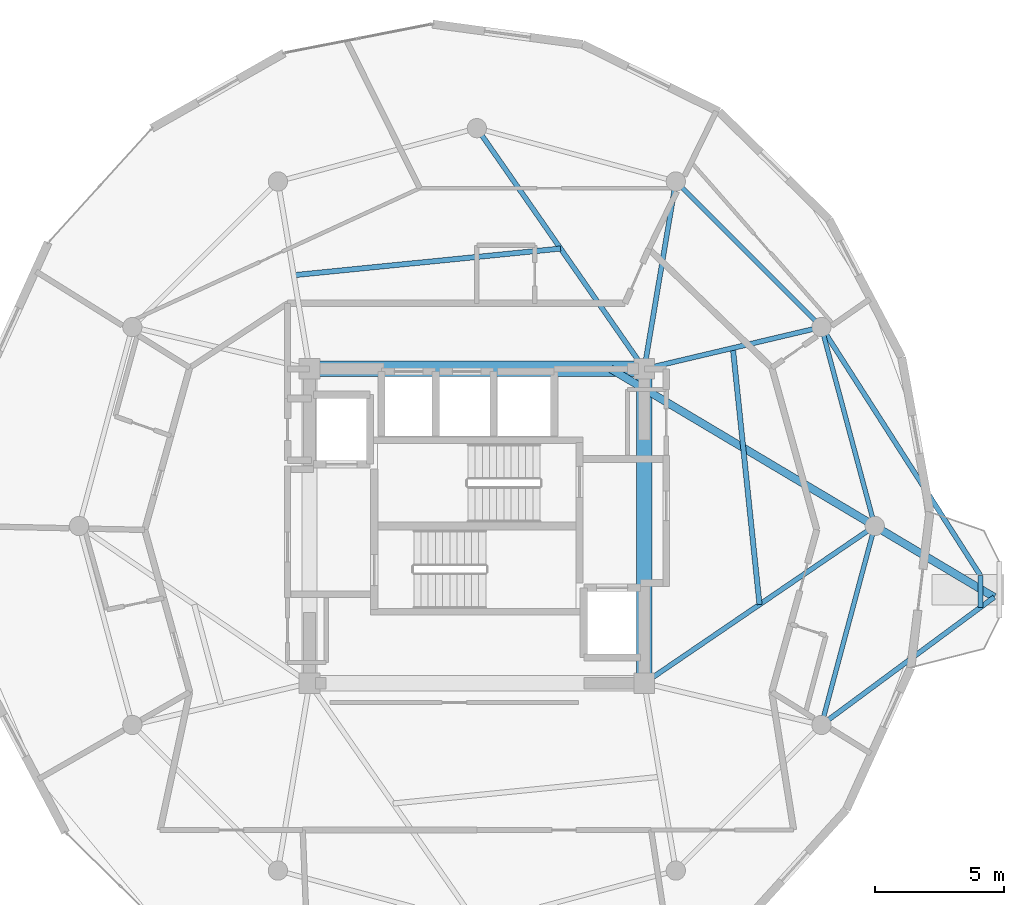
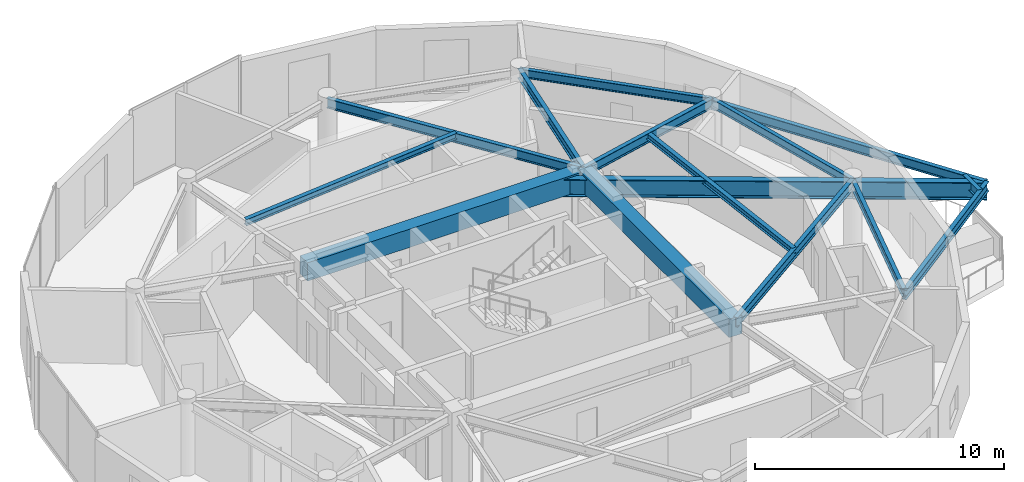
# One storey, part 10 of 18: 16 beams.
"""IFC4 building model written with IfcOpenShell, lengths in metres."""

from ifc_helpers import new_model, si_unit, direction, frame, origin, origin_2d, place, context, subcontext, project, spatial, rectangle, i_section, extrude, material, material_profile, profile_set, type_object, element, save


model = new_model("IFC4")

# Units and contexts
model_context = context("Model", 3, precision=1e-05, world=origin(), true_north=direction((0.0, 1.0)))
body_context = subcontext(model_context, "Body", "Model", "MODEL_VIEW")
ifc_project = project(units=[si_unit("LENGTHUNIT", "METRE"), si_unit("AREAUNIT", "SQUARE_METRE"), si_unit("VOLUMEUNIT", "CUBIC_METRE"), si_unit("PLANEANGLEUNIT", "RADIAN"), si_unit("MASSUNIT", "GRAM", prefix="KILO")], contexts=[model_context])

# Site, building, storey
site_placement = place(None, origin())
site = spatial("IfcSite", under=ifc_project, at=site_placement, CompositionType="ELEMENT")
building_placement = place(site_placement, origin())
building = spatial("IfcBuilding", under=site, at=building_placement, Name="Solvirekh Grand Hotel", CompositionType="ELEMENT")
storey_placement = place(building_placement, frame((0.0, 0.0, 274.39990234375)))
storey = spatial("IfcBuildingStorey", under=building, at=storey_placement, Name="L71", CompositionType="ELEMENT", Elevation=274.39990234375)

# Beams
ifc_material_1 = material(Name="Concrete C50/60", Category="concrete")
ifc_material_profile_1 = material_profile(ifc_material_1, rectangle(XDim=0.60009765625, YDim=0.89990234375, at=origin_2d()), Name="RC BEAM 600X900")
ifc_profile_set_1 = profile_set([ifc_material_profile_1], Name="Concrete C50/60")
beam_type_1 = type_object("IfcBeamType", Name="Beam_Core_RC900", PredefinedType="BEAM", material=ifc_profile_set_1)
beam_1_placement = place(storey_placement, frame((6.5, -6.10009765625, 3.1201171875), z_axis=(0.0, 1.0, 0.0), x_axis=(-1.0, 0.0, 0.0)))
element("IfcBeam", 1, at=beam_1_placement, inside=storey, type_object=beam_type_1, Name="L71 core coupling ring beam 2", PredefinedType="BEAM", context=body_context, shape_type="SweptSolid", body=[
    extrude(rectangle(XDim=0.60009765625, YDim=0.89990234375, at=origin_2d()), origin(), (0.0, 0.0, 1.0), 12.2001953125),
])
beam_2_placement = place(storey_placement, frame((6.5, 6.10009765625, 3.1201171875), z_axis=(-1.0, 0.0, 0.0), x_axis=(0.0, -1.0, 0.0)))
element("IfcBeam", 2, at=beam_2_placement, inside=storey, type_object=beam_type_1, Name="L71 core coupling ring beam 3", PredefinedType="BEAM", context=body_context, shape_type="SweptSolid", body=[
    extrude(rectangle(XDim=0.60009765625, YDim=0.89990234375, at=origin_2d()), origin(), (0.0, 0.0, 1.0), 13.0),
])
ifc_material_2 = material(Name="Steel S460", Category="steel")
ifc_material_profile_2 = material_profile(ifc_material_2, i_section(OverallWidth=0.302001953125, OverallDepth=0.85498046875, WebThickness=0.01904296875, FlangeThickness=0.032958984375, FilletRadius=0.01806640625, at=origin_2d()), Name="W840X299")
ifc_profile_set_2 = profile_set([ifc_material_profile_2], Name="Steel S460")
beam_type_2 = type_object("IfcBeamType", Name="Beam_PoolTie_W840", PredefinedType="BEAM", material=ifc_profile_set_2)
beam_3_placement = place(storey_placement, frame((5.199951171875, 6.10009765625, 3.06201171875), z_axis=(0.859333149691, -0.511416208036, 0.0), x_axis=(0.511416208036, 0.859333149691, 0.0)))
element("IfcBeam", 3, at=beam_3_placement, inside=storey, type_object=beam_type_2, Name="L72 sky-garden back-span tie girder", PredefinedType="BEAM", context=body_context, shape_type="SweptSolid", body=[
    extrude(i_section(OverallWidth=0.302001953125, OverallDepth=0.85498046875, WebThickness=0.01904296875, FlangeThickness=0.032958984375, FilletRadius=0.01806640625, at=origin_2d()), origin(), (0.0, 0.0, 1.0), 11.927734375),
])
beam_4_placement = place(storey_placement, frame((15.449951171875, 0.0, 3.06201171875), z_axis=(0.859294776901, -0.511480680369, 0.0), x_axis=(0.511480680369, 0.859294776901, 0.0)))
element("IfcBeam", 4, at=beam_4_placement, inside=storey, type_object=beam_type_2, Name="L72 sky-garden primary cantilever bracket", PredefinedType="BEAM", context=body_context, shape_type="SweptSolid", body=[
    extrude(i_section(OverallWidth=0.302001953125, OverallDepth=0.85498046875, WebThickness=0.01904296875, FlangeThickness=0.032958984375, FilletRadius=0.01806640625, at=origin_2d()), origin(), (0.0, 0.0, 1.0), 5.39990234375),
])
ifc_material_3 = material(Name="Steel S355", Category="steel")
ifc_material_profile_3 = material_profile(ifc_material_3, i_section(OverallWidth=0.194091796875, OverallDepth=0.468994140625, WebThickness=0.010986328125, FlangeThickness=0.01904296875, FilletRadius=0.012939453125, at=origin_2d()), Name="W460X106")
ifc_profile_set_3 = profile_set([ifc_material_profile_3], Name="Steel S355")
beam_type_3 = type_object("IfcBeamType", Name="Beam_Radial_W460H", PredefinedType="BEAM", material=ifc_profile_set_3)
beam_5_placement = place(storey_placement, frame((6.5, -6.10009765625, 3.336181640625), z_axis=(0.826319370306, 0.563201827285, 0.0), x_axis=(-0.563201827285, 0.826319370306, 0.0)))
element("IfcBeam", 5, at=beam_5_placement, inside=storey, type_object=beam_type_3, Name="L71 radial floor beam R01", PredefinedType="BEAM", context=body_context, shape_type="SweptSolid", body=[
    extrude(i_section(OverallWidth=0.194091796875, OverallDepth=0.468994140625, WebThickness=0.010986328125, FlangeThickness=0.01904296875, FilletRadius=0.012939453125, at=origin_2d()), origin(), (0.0, 0.0, 1.0), 10.8310546875),
])
beam_6_placement = place(storey_placement, frame((6.5, 6.10009765625, 3.336181640625), z_axis=(0.973221147544, 0.229870828888, 0.0), x_axis=(-0.229870828888, 0.973221147544, 0.0)))
element("IfcBeam", 6, at=beam_6_placement, inside=storey, type_object=beam_type_3, Name="L71 radial floor beam R02", PredefinedType="BEAM", context=body_context, shape_type="SweptSolid", body=[
    extrude(i_section(OverallWidth=0.194091796875, OverallDepth=0.468994140625, WebThickness=0.010986328125, FlangeThickness=0.01904296875, FilletRadius=0.012939453125, at=origin_2d()), origin(), (0.0, 0.0, 1.0), 7.069091796875),
])
beam_7_placement = place(storey_placement, frame((6.5, 6.10009765625, 3.336181640625), z_axis=(0.165954049106, 0.986133486697, 0.0), x_axis=(-0.986133486697, 0.165954049106, 0.0)))
element("IfcBeam", 7, at=beam_7_placement, inside=storey, type_object=beam_type_3, Name="L71 radial floor beam R03", PredefinedType="BEAM", context=body_context, shape_type="SweptSolid", body=[
    extrude(i_section(OverallWidth=0.194091796875, OverallDepth=0.468994140625, WebThickness=0.010986328125, FlangeThickness=0.01904296875, FilletRadius=0.012939453125, at=origin_2d()), origin(), (0.0, 0.0, 1.0), 7.382080078125),
])
beam_8_placement = place(storey_placement, frame((6.5, 6.10009765625, 3.336181640625), z_axis=(-0.570813192472, 0.821079959139, 0.0), x_axis=(-0.821079959139, -0.570813192472, 0.0)))
element("IfcBeam", 8, at=beam_8_placement, inside=storey, type_object=beam_type_3, Name="L71 radial floor beam R04", PredefinedType="BEAM", context=body_context, shape_type="SweptSolid", body=[
    extrude(i_section(OverallWidth=0.194091796875, OverallDepth=0.468994140625, WebThickness=0.010986328125, FlangeThickness=0.01904296875, FilletRadius=0.012939453125, at=origin_2d()), origin(), (0.0, 0.0, 1.0), 11.38720703125),
])
beam_9_placement = place(storey_placement, frame((13.3798828125, -7.72509765625, 3.255126953125), z_axis=(0.803980348123, 0.594655866727, 0.0), x_axis=(-0.594655866727, 0.803980348123, 0.0)))
element("IfcBeam", 9, at=beam_9_placement, inside=storey, type_object=beam_type_3, Name="L72 sky-garden edge tie beam 1", PredefinedType="BEAM", context=body_context, shape_type="SweptSolid", body=[
    extrude(i_section(OverallWidth=0.194091796875, OverallDepth=0.468994140625, WebThickness=0.010986328125, FlangeThickness=0.01904296875, FilletRadius=0.012939453125, at=origin_2d()), origin(), (0.0, 0.0, 1.0), 8.34619140625),
])
beam_10_placement = place(storey_placement, frame((13.3798828125, 7.72509765625, 3.255126953125), z_axis=(0.538967442905, -0.842326596688, 0.0), x_axis=(0.842326596688, 0.538967442905, 0.0)))
element("IfcBeam", 10, at=beam_10_placement, inside=storey, type_object=beam_type_3, Name="L72 sky-garden edge tie beam 2", PredefinedType="BEAM", context=body_context, shape_type="SweptSolid", body=[
    extrude(i_section(OverallWidth=0.194091796875, OverallDepth=0.468994140625, WebThickness=0.010986328125, FlangeThickness=0.01904296875, FilletRadius=0.012939453125, at=origin_2d()), origin(), (0.0, 0.0, 1.0), 12.4501953125),
])
beam_11_placement = place(storey_placement, frame((19.547119140625, -3.1640625, 3.255126953125), z_axis=(0.0, 1.0, 0.0), x_axis=(-1.0, 0.0, 0.0)))
element("IfcBeam", 11, at=beam_11_placement, inside=storey, type_object=beam_type_3, Name="L72 sky-garden outer cross trimmer", PredefinedType="BEAM", context=body_context, shape_type="SweptSolid", body=[
    extrude(i_section(OverallWidth=0.194091796875, OverallDepth=0.468994140625, WebThickness=0.010986328125, FlangeThickness=0.01904296875, FilletRadius=0.012939453125, at=origin_2d()), origin(), (0.0, 0.0, 1.0), 1.25),
])
ifc_material_profile_4 = material_profile(ifc_material_3, i_section(OverallWidth=0.202880859375, OverallDepth=0.302978515625, WebThickness=0.008056640625, FlangeThickness=0.012939453125, FilletRadius=0.010009765625, at=origin_2d()), Name="W310X60")
ifc_profile_set_4 = profile_set([ifc_material_profile_4], Name="Steel S355")
beam_type_4 = type_object("IfcBeamType", Name="Joist_Floor_W310", PredefinedType="JOIST", material=ifc_profile_set_4)
beam_12_placement = place(storey_placement, frame((10.97509765625, -3.050048828125, 3.419189453125), z_axis=(-0.103352382469, 0.994644803454, 0.0), x_axis=(-0.994644803454, -0.103352382469, 0.0)))
element("IfcBeam", 12, at=beam_12_placement, inside=storey, type_object=beam_type_4, Name="L71 secondary composite floor joist 1", PredefinedType="JOIST", context=body_context, shape_type="SweptSolid", body=[
    extrude(i_section(OverallWidth=0.202880859375, OverallDepth=0.302978515625, WebThickness=0.008056640625, FlangeThickness=0.012939453125, FilletRadius=0.010009765625, at=origin_2d()), origin(), (0.0, 0.0, 1.0), 10.015869140625),
])
beam_13_placement = place(storey_placement, frame((3.25, 10.77490234375, 3.419189453125), z_axis=(-0.995049485097, -0.099380693338, 0.0), x_axis=(0.099380693338, -0.995049485097, 0.0)))
element("IfcBeam", 13, at=beam_13_placement, inside=storey, type_object=beam_type_4, Name="L71 secondary composite floor joist 4", PredefinedType="JOIST", context=body_context, shape_type="SweptSolid", body=[
    extrude(i_section(OverallWidth=0.202880859375, OverallDepth=0.302978515625, WebThickness=0.008056640625, FlangeThickness=0.012939453125, FilletRadius=0.010009765625, at=origin_2d()), origin(), (0.0, 0.0, 1.0), 10.41357421875),
])
ifc_material_profile_5 = material_profile(ifc_material_3, i_section(OverallWidth=0.180908203125, OverallDepth=0.4169921875, WebThickness=0.010009765625, FlangeThickness=0.01611328125, FilletRadius=0.011962890625, at=origin_2d()), Name="W410X85")
ifc_profile_set_5 = profile_set([ifc_material_profile_5], Name="Steel S355")
beam_type_5 = type_object("IfcBeamType", Name="Spandrel_Ring_W410", PredefinedType="SPANDREL", material=ifc_profile_set_5)
beam_14_placement = place(storey_placement, frame((15.449951171875, 0.0, 3.362060546875), z_axis=(-0.258834757072, 0.965921616143, 0.0), x_axis=(-0.965921616143, -0.258834757072, 0.0)))
element("IfcBeam", 14, at=beam_14_placement, inside=storey, type_object=beam_type_5, Name="L71 perimeter spandrel beam 1", PredefinedType="SPANDREL", context=body_context, shape_type="SweptSolid", body=[
    extrude(i_section(OverallWidth=0.180908203125, OverallDepth=0.4169921875, WebThickness=0.010009765625, FlangeThickness=0.01611328125, FilletRadius=0.011962890625, at=origin_2d()), origin(), (0.0, 0.0, 1.0), 7.99755859375),
])
beam_15_placement = place(storey_placement, frame((13.3798828125, 7.72509765625, 3.362060546875), z_axis=(-0.707106781187, 0.707106781187, 0.0), x_axis=(-0.707106781187, -0.707106781187, 0.0)))
element("IfcBeam", 15, at=beam_15_placement, inside=storey, type_object=beam_type_5, Name="L71 perimeter spandrel beam 2", PredefinedType="SPANDREL", context=body_context, shape_type="SweptSolid", body=[
    extrude(i_section(OverallWidth=0.180908203125, OverallDepth=0.4169921875, WebThickness=0.010009765625, FlangeThickness=0.01611328125, FilletRadius=0.011962890625, at=origin_2d()), origin(), (0.0, 0.0, 1.0), 7.9970703125),
])
beam_16_placement = place(storey_placement, frame((13.3798828125, -7.72509765625, 3.362060546875), z_axis=(0.258834757072, 0.965921616143, 0.0), x_axis=(-0.965921616143, 0.258834757072, 0.0)))
element("IfcBeam", 16, at=beam_16_placement, inside=storey, type_object=beam_type_5, Name="L71 perimeter spandrel beam 12", PredefinedType="SPANDREL", context=body_context, shape_type="SweptSolid", body=[
    extrude(i_section(OverallWidth=0.180908203125, OverallDepth=0.4169921875, WebThickness=0.010009765625, FlangeThickness=0.01611328125, FilletRadius=0.011962890625, at=origin_2d()), origin(), (0.0, 0.0, 1.0), 7.99755859375),
])

save(model, "model.ifc")
